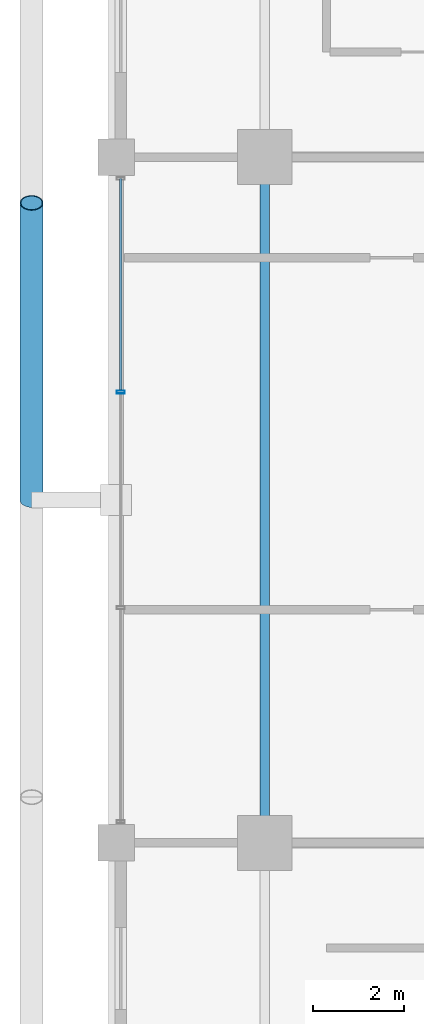
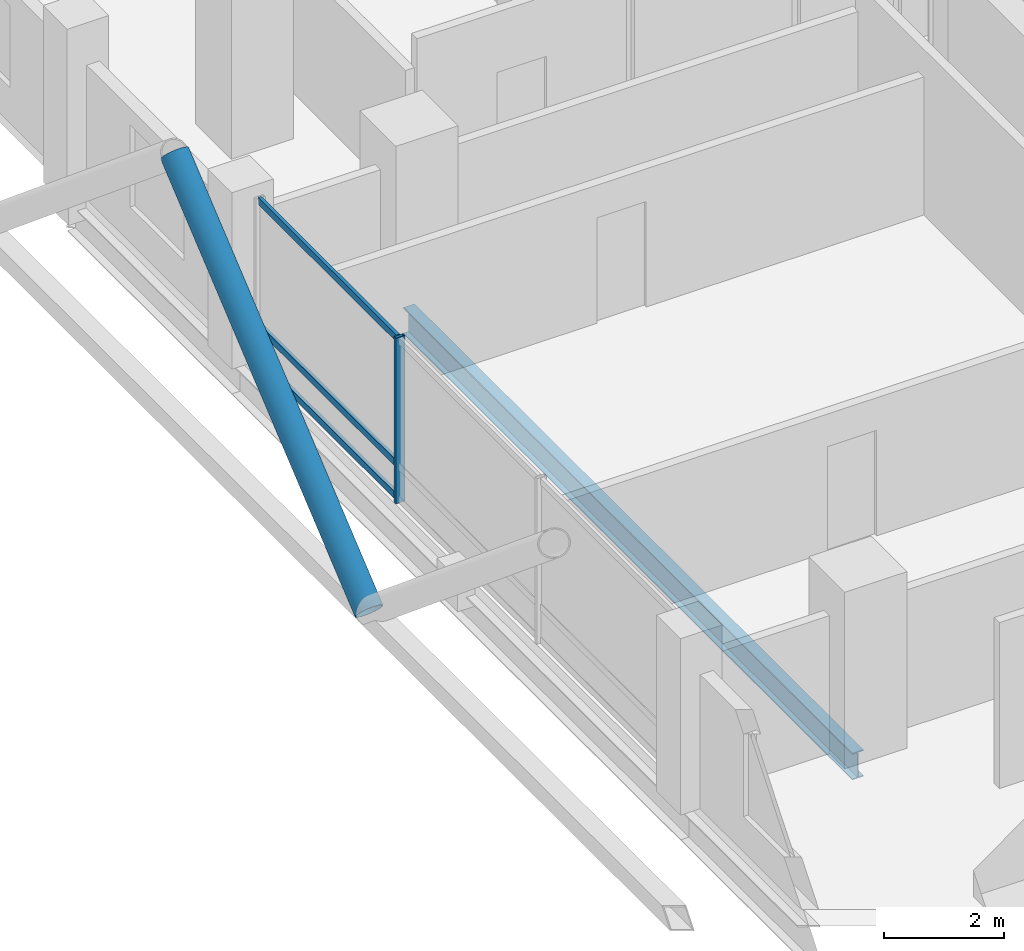
# One storey, part 7 of 25: 5 members, 1 beam, 1 element without a shape of its own.
"""IFC4 building model written with IfcOpenShell, lengths in metres."""

from ifc_helpers import new_model, si_unit, direction, frame, origin, origin_2d, place, context, subcontext, project, spatial, hollow_rectangle, hollow_circle, i_section, extrude, material, layer, layer_set, material_profile, profile_set, type_object, element, aggregate, save


model = new_model("IFC4")

# Units and contexts
model_context = context("Model", 3, precision=1e-05, world=origin(), true_north=direction((0.0, 1.0)))
body_context = subcontext(model_context, "Body", "Model", "MODEL_VIEW")
ifc_project = project(units=[si_unit("LENGTHUNIT", "METRE"), si_unit("AREAUNIT", "SQUARE_METRE"), si_unit("VOLUMEUNIT", "CUBIC_METRE"), si_unit("PLANEANGLEUNIT", "RADIAN"), si_unit("MASSUNIT", "GRAM", prefix="KILO")], contexts=[model_context])

# Site, building, storey
site_placement = place(None, origin())
site = spatial("IfcSite", under=ifc_project, at=site_placement, CompositionType="ELEMENT")
building_placement = place(site_placement, origin())
building = spatial("IfcBuilding", under=site, at=building_placement, Name="Barlavira Tower and Art Museum", CompositionType="ELEMENT")
storey_placement = place(building_placement, frame((0.0, 0.0, 144.0)))
storey = spatial("IfcBuildingStorey", under=building, at=storey_placement, Name="L36", CompositionType="ELEMENT", Elevation=144.0)

# Curtain wall, members
ifc_material_1 = material(Name="Low-iron coastal laminated glass", Category="glass")
ifc_layer = layer(ifc_material_1, 0.18994140625, Name="Low-iron coastal laminated glass")
ifc_layer_set = layer_set([ifc_layer], Name="Low-iron coastal laminated glass")
curtain_wall_type = type_object("IfcCurtainWallType", Name="Pale-Metal Unitised Curtain Wall Zone 2", PredefinedType="NOTDEFINED", material=ifc_layer_set)
curtain_wall_placement = place(storey_placement, origin())
curtain_wall = element("IfcCurtainWall", 1, at=curtain_wall_placement, inside=storey, type_object=curtain_wall_type, Name="L36 Curtain Wall CW2-L36-W-B3", PredefinedType="NOTDEFINED")
ifc_material_2 = material(Name="Pale anodised aluminium", Category="aluminium")
ifc_material_profile_1 = material_profile(ifc_material_2, hollow_rectangle(XDim=0.06494140625, YDim=0.179931640625, WallThickness=0.00390625, at=origin_2d()), Name="ALU-MULL 65x180x4")
ifc_profile_set_1 = profile_set([ifc_material_profile_1], Name="Pale anodised aluminium")
member_type_1 = type_object("IfcMemberType", Name="Curtain Wall Pale-Metal Mullion 65x180", PredefinedType="MULLION", material=ifc_profile_set_1)
member_1_placement = place(storey_placement, frame((-20.14990234375, 2.360107421875, 0.0), z_axis=(0.0, 0.0, 1.0), x_axis=(0.0, -1.0, 0.0)))
member_1 = element("IfcMember", 2, at=member_1_placement, type_object=member_type_1, Name="CW2-L36-W-B3 Mullion 1", PredefinedType="MULLION", context=body_context, shape_type="SweptSolid", body=[
    extrude(hollow_rectangle(XDim=0.06494140625, YDim=0.179931640625, WallThickness=0.00390625, at=origin_2d()), origin(), (0.0, 0.0, 1.0), 3.3798828125),
])
ifc_material_profile_2 = material_profile(ifc_material_2, hollow_rectangle(XDim=0.06494140625, YDim=0.139892578125, WallThickness=0.00390625, at=origin_2d()), Name="ALU-TRAN 65x140x4")
ifc_profile_set_2 = profile_set([ifc_material_profile_2], Name="Pale anodised aluminium")
member_type_2 = type_object("IfcMemberType", Name="Curtain Wall Pale-Metal Transom 65x140", PredefinedType="USERDEFINED", material=ifc_profile_set_2)
member_2_placement = place(storey_placement, frame((-20.14990234375, 7.034912109375, 0.070068359375), z_axis=(0.0, -1.0, 0.0), x_axis=(1.0, 0.0, 0.0)))
member_2 = element("IfcMember", 3, at=member_2_placement, type_object=member_type_2, Name="CW2-L36-W-B3 Transom 0.1", ObjectType="TRANSOM", PredefinedType="USERDEFINED", context=body_context, shape_type="SweptSolid", body=[
    extrude(hollow_rectangle(XDim=0.06494140625, YDim=0.139892578125, WallThickness=0.00390625, at=origin_2d()), origin(), (0.0, 0.0, 1.0), 4.6298828125),
])
member_3_placement = place(storey_placement, frame((-20.14990234375, 7.034912109375, 0.743896484375), z_axis=(0.0, -1.0, 0.0), x_axis=(1.0, 0.0, 0.0)))
member_3 = element("IfcMember", 4, at=member_3_placement, type_object=member_type_2, Name="CW2-L36-W-B3 Transom 0.2", ObjectType="TRANSOM", PredefinedType="USERDEFINED", context=body_context, shape_type="SweptSolid", body=[
    extrude(hollow_rectangle(XDim=0.06494140625, YDim=0.139892578125, WallThickness=0.00390625, at=origin_2d()), origin(), (0.0, 0.0, 1.0), 4.6298828125),
])
member_4_placement = place(storey_placement, frame((-20.14990234375, 7.034912109375, 3.31005859375), z_axis=(0.0, -1.0, 0.0), x_axis=(1.0, 0.0, 0.0)))
member_4 = element("IfcMember", 5, at=member_4_placement, type_object=member_type_2, Name="CW2-L36-W-B3 Transom 0.3", ObjectType="TRANSOM", PredefinedType="USERDEFINED", context=body_context, shape_type="SweptSolid", body=[
    extrude(hollow_rectangle(XDim=0.06494140625, YDim=0.139892578125, WallThickness=0.00390625, at=origin_2d()), origin(), (0.0, 0.0, 1.0), 4.6298828125),
])
aggregate(curtain_wall, [member_1, member_2, member_3, member_4])

# Member
ifc_material_3 = material(Name="Steel S355", Category="steel")
ifc_material_profile_3 = material_profile(ifc_material_3, hollow_circle(Radius=0.25390625, WallThickness=0.022216796875, at=origin_2d()), Name="CHS 508.0x22.2")
ifc_profile_set_3 = profile_set([ifc_material_profile_3], Name="Steel S355")
member_type_3 = type_object("IfcMemberType", Name="Pale-Metal Exoskeleton Diagrid Tube CHS 508x22 Steel S355", PredefinedType="BRACE", material=ifc_profile_set_3)
member_5_placement = place(storey_placement, frame((-22.10009765625, 0.0, -0.1201171875), z_axis=(0.0, 0.76918185268, 0.639029950399), x_axis=(-1.0, 0.0, 0.0)))
element("IfcMember", 6, at=member_5_placement, inside=storey, type_object=member_type_3, Name="L36 Exoskeleton Diagrid Tube W", PredefinedType="BRACE", context=body_context, shape_type="SweptSolid", body=[
    extrude(hollow_circle(Radius=0.25390625, WallThickness=0.022216796875, at=origin_2d()), origin(), (0.0, 0.0, 1.0), 8.450439453125),
])

# Beam
ifc_material_profile_4 = material_profile(ifc_material_3, i_section(OverallWidth=0.214111328125, OverallDepth=0.549072265625, WebThickness=0.0146484375, FlangeThickness=0.023681640625, at=origin_2d()), Name="W530x138.0")
ifc_profile_set_4 = profile_set([ifc_material_profile_4], Name="Steel S355")
beam_type = type_object("IfcBeamType", Name="Zone 1 Primary Floor Girder W530x138 Steel S355", PredefinedType="BEAM", material=ifc_profile_set_4)
beam_placement = place(storey_placement, frame((-17.0, -7.5, -0.494384765625), z_axis=(0.0, 1.0, 0.0), x_axis=(-1.0, 0.0, 0.0)))
element("IfcBeam", 7, at=beam_placement, inside=storey, type_object=beam_type, Name="L36 Girder M-W2", PredefinedType="BEAM", context=body_context, shape_type="SweptSolid", body=[
    extrude(i_section(OverallWidth=0.214111328125, OverallDepth=0.549072265625, WebThickness=0.0146484375, FlangeThickness=0.023681640625, at=origin_2d()), origin(), (0.0, 0.0, 1.0), 15.0),
])

save(model, "model.ifc")
